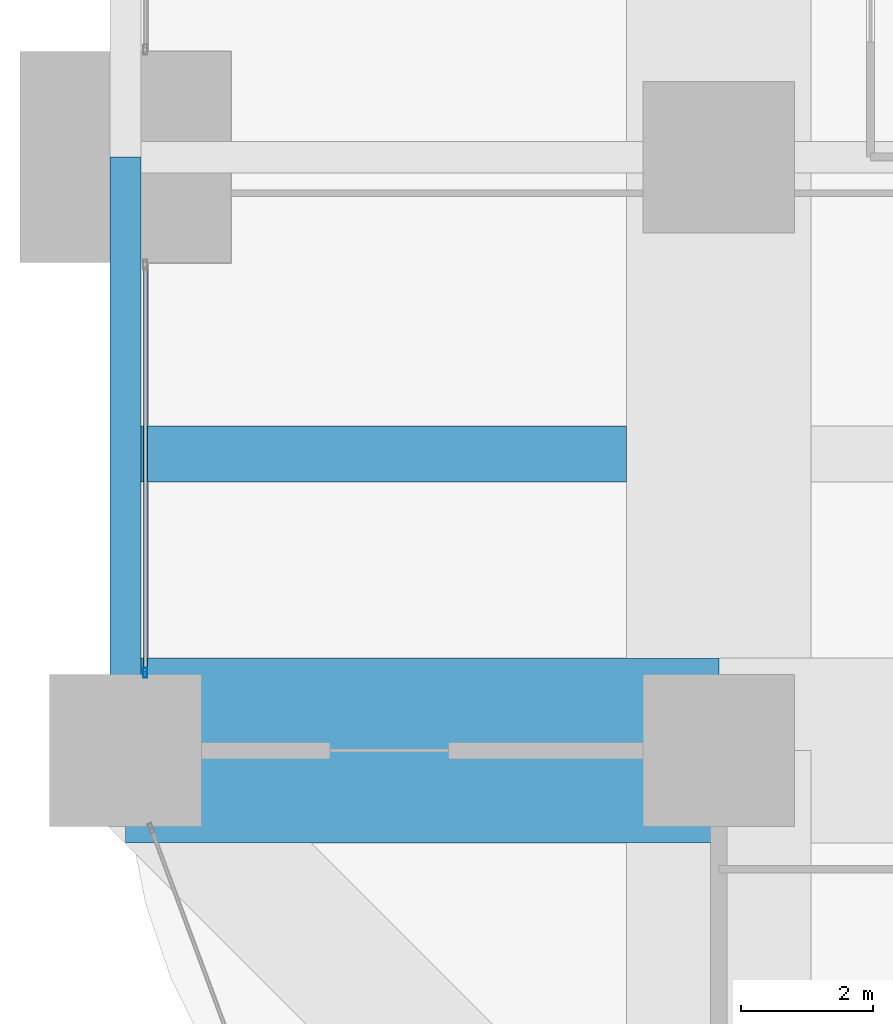
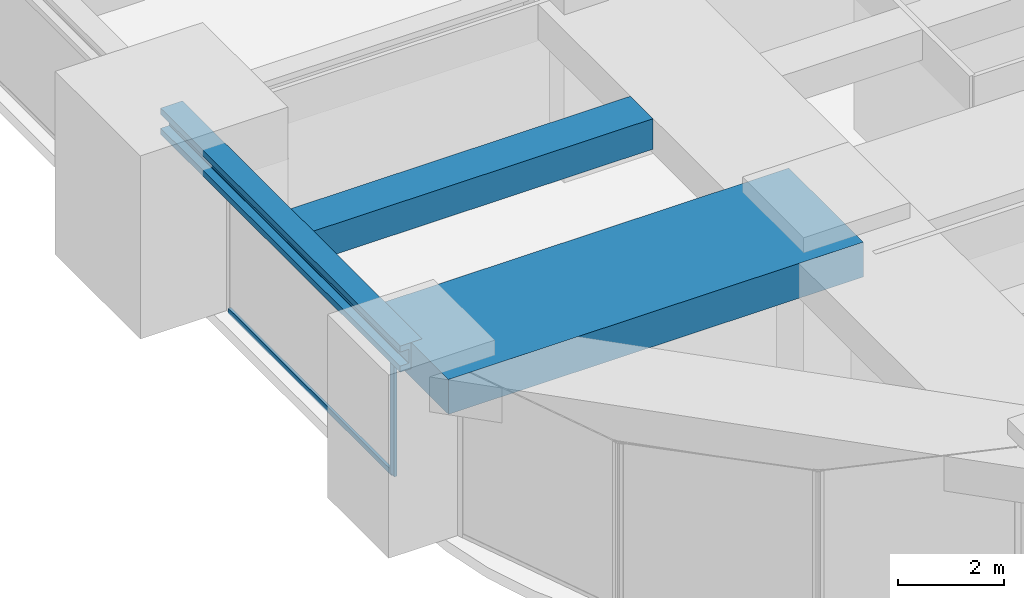
# One storey, part 5 of 39: 3 beams, 2 members, 1 element without a shape of its own.
"""IFC4 building model written with IfcOpenShell, lengths in metres."""

from ifc_helpers import new_model, si_unit, direction, frame, origin, origin_2d, place, context, subcontext, project, spatial, rectangle, hollow_rectangle, i_section, extrude, material, material_profile, profile_set, type_object, element, aggregate, save


model = new_model("IFC4")

# Units and contexts
model_context = context("Model", 3, precision=1e-05, world=origin(), true_north=direction((0.0, 1.0)))
body_context = subcontext(model_context, "Body", "Model", "MODEL_VIEW")
ifc_project = project(units=[si_unit("LENGTHUNIT", "METRE"), si_unit("AREAUNIT", "SQUARE_METRE"), si_unit("VOLUMEUNIT", "CUBIC_METRE"), si_unit("PLANEANGLEUNIT", "RADIAN"), si_unit("MASSUNIT", "GRAM", prefix="KILO")], contexts=[model_context])

# Site, building, storey
site_placement = place(None, origin())
site = spatial("IfcSite", under=ifc_project, at=site_placement, CompositionType="ELEMENT")
building_placement = place(site_placement, origin())
building = spatial("IfcBuilding", under=site, at=building_placement, Name="Zorevar Civic Tower", CompositionType="ELEMENT")
storey_placement = place(building_placement, frame((0.0, 0.0, 230.199951171875)))
storey = spatial("IfcBuildingStorey", under=building, at=storey_placement, Name="L56", CompositionType="ELEMENT", Elevation=230.199951171875)

# Beams
ifc_material_1 = material(Name="Concrete C50/60", Category="concrete")
ifc_material_profile_1 = material_profile(ifc_material_1, rectangle(XDim=2.800048828125, YDim=0.800048828125, at=origin_2d()), Name="RC 2800x800")
ifc_profile_set_1 = profile_set([ifc_material_profile_1], Name="Concrete C50/60")
beam_type_1 = type_object("IfcBeamType", Name="Beam RC 2800x800", PredefinedType="BEAM", material=ifc_profile_set_1)
beam_1_placement = place(storey_placement, frame((0.0, 9.0, 3.449951171875), z_axis=(1.0, 0.0, 0.0), x_axis=(0.0, 1.0, 0.0)))
element("IfcBeam", 1, at=beam_1_placement, inside=storey, type_object=beam_type_1, Name="Girder L57", PredefinedType="BEAM", context=body_context, shape_type="SweptSolid", body=[
    extrude(rectangle(XDim=2.800048828125, YDim=0.800048828125, at=origin_2d()), origin(), (0.0, 0.0, 1.0), 9.0),
])
ifc_material_2 = material(Name="Concrete C50/60", Category="concrete")
ifc_material_profile_2 = material_profile(ifc_material_2, rectangle(XDim=0.85009765625, YDim=0.699951171875, at=origin_2d()), Name="RC 850x700")
ifc_profile_set_2 = profile_set([ifc_material_profile_2], Name="Concrete C50/60")
beam_type_2 = type_object("IfcBeamType", Name="Beam RC 850x700", PredefinedType="BEAM", material=ifc_profile_set_2)
beam_2_placement = place(storey_placement, frame((0.238037109375, 13.5, 3.5), z_axis=(1.0, 0.0, 0.0), x_axis=(0.0, 1.0, 0.0)))
element("IfcBeam", 2, at=beam_2_placement, inside=storey, type_object=beam_type_2, Name="Secondary beam L57", PredefinedType="BEAM", context=body_context, shape_type="SweptSolid", body=[
    extrude(rectangle(XDim=0.85009765625, YDim=0.699951171875, at=origin_2d()), origin(), (0.0, 0.0, 1.0), 7.362060546875),
])
ifc_material_3 = material(Name="Steel S460M (HISTAR 460)", Category="steel")
ifc_material_profile_3 = material_profile(ifc_material_3, i_section(OverallWidth=0.47607421875, OverallDepth=0.60009765625, WebThickness=0.10009765625, FlangeThickness=0.139892578125, FilletRadius=0.014892578125, at=origin_2d()), Name="HD 400x1299")
ifc_profile_set_3 = profile_set([ifc_material_profile_3], Name="Steel S460M (HISTAR 460)")
beam_type_3 = type_object("IfcBeamType", Name="Belt chord HD 400x1299", PredefinedType="BEAM", material=ifc_profile_set_3)
beam_3_placement = place(storey_placement, frame((0.0, 9.0, 3.550048828125), z_axis=(0.0, 1.0, 0.0), x_axis=(-1.0, 0.0, 0.0)))
element("IfcBeam", 3, at=beam_3_placement, inside=storey, type_object=beam_type_3, Name="Belt chord L57", PredefinedType="BEAM", context=body_context, shape_type="SweptSolid", body=[
    extrude(i_section(OverallWidth=0.47607421875, OverallDepth=0.60009765625, WebThickness=0.10009765625, FlangeThickness=0.139892578125, FilletRadius=0.014892578125, at=origin_2d()), origin(), (0.0, 0.0, 1.0), 9.0),
])

# Curtain wall, members
ifc_material_4 = material(Name="Dark grey solar-control glass in black aluminium frame", Category="aluminium")
curtain_wall_type = type_object("IfcCurtainWallType", Name="Curtain wall CW4 high zone", PredefinedType="NOTDEFINED", material=ifc_material_4)
curtain_wall_placement = place(storey_placement, origin())
curtain_wall = element("IfcCurtainWall", 4, at=curtain_wall_placement, inside=storey, type_object=curtain_wall_type, Name="CW4 L56", PredefinedType="NOTDEFINED")
ifc_material_5 = material(Name="Aluminium, black anodised", Category="aluminium")
ifc_material_profile_4 = material_profile(ifc_material_5, hollow_rectangle(XDim=0.06005859375, YDim=0.14990234375, WallThickness=0.00390625, at=origin_2d()), Name="AL 150x60x4")
ifc_profile_set_4 = profile_set([ifc_material_profile_4], Name="Aluminium, black anodised")
member_type_1 = type_object("IfcMemberType", Name="CW4 mullion AL 150x60x4", PredefinedType="MULLION", material=ifc_profile_set_4)
member_1_placement = place(storey_placement, frame((0.300048828125, 10.179931640625, 0.0), z_axis=(0.0, 0.0, 1.0), x_axis=(-1.0, 0.0, 0.0)))
member_1 = element("IfcMember", 5, at=member_1_placement, type_object=member_type_1, Name="CW4 mullion 1", PredefinedType="MULLION", context=body_context, shape_type="SweptSolid", body=[
    extrude(hollow_rectangle(XDim=0.06005859375, YDim=0.14990234375, WallThickness=0.00390625, at=origin_2d()), origin(), (0.0, 0.0, 1.0), 3.050048828125),
])
ifc_material_6 = material(Name="Aluminium, black anodised", Category="aluminium")
ifc_material_profile_5 = material_profile(ifc_material_6, hollow_rectangle(XDim=0.06005859375, YDim=0.1201171875, WallThickness=0.0029296875, at=origin_2d()), Name="AL 120x60x3")
ifc_profile_set_5 = profile_set([ifc_material_profile_5], Name="Aluminium, black anodised")
member_type_2 = type_object("IfcMemberType", Name="CW4 transom AL 120x60x3", PredefinedType="USERDEFINED", material=ifc_profile_set_5)
member_2_placement = place(storey_placement, frame((0.300048828125, 10.2099609375, 0.030029296875), z_axis=(0.0, 1.0, 0.0), x_axis=(-1.0, 0.0, 0.0)))
member_2 = element("IfcMember", 6, at=member_2_placement, type_object=member_type_2, Name="CW4 sill transom", ObjectType="TRANSOM", PredefinedType="USERDEFINED", context=body_context, shape_type="SweptSolid", body=[
    extrude(hollow_rectangle(XDim=0.06005859375, YDim=0.1201171875, WallThickness=0.0029296875, at=origin_2d()), origin(), (0.0, 0.0, 1.0), 6.130126953125),
])
aggregate(curtain_wall, [member_1, member_2])

save(model, "model.ifc")
